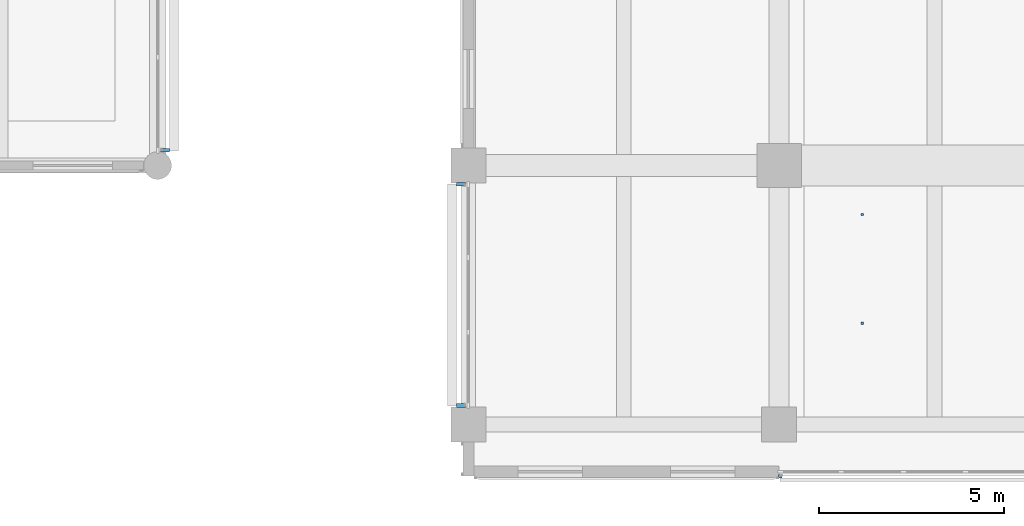
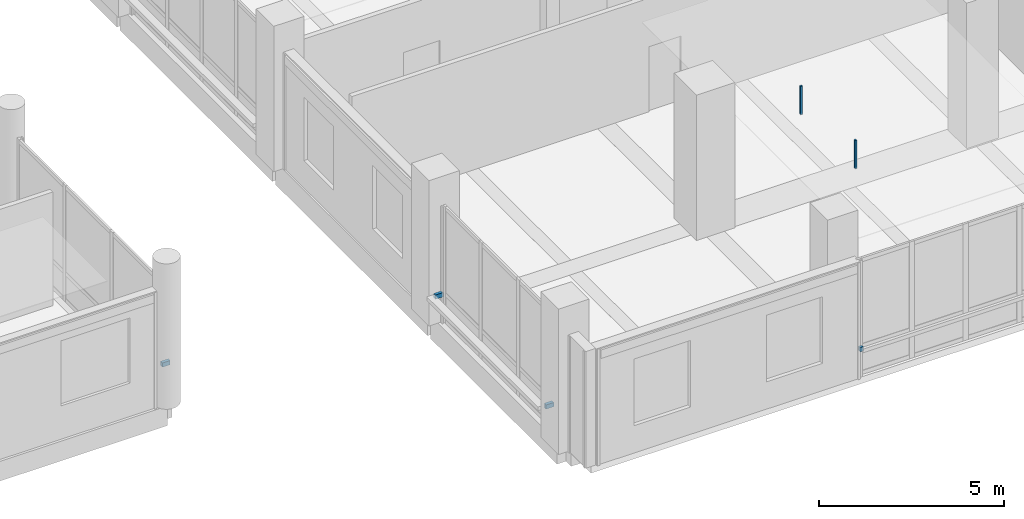
# One storey, part 64 of 122: 6 discrete accessories.
"""IFC4 building model written with IfcOpenShell, lengths in metres."""

from ifc_helpers import new_model, si_unit, direction, frame, origin, origin_2d, place, context, subcontext, project, spatial, rectangle, extrude, material, type_object, element, save


model = new_model("IFC4")

# Units and contexts
model_context = context("Model", 3, precision=1e-05, world=origin(), true_north=direction((0.0, 1.0)))
body_context = subcontext(model_context, "Body", "Model", "MODEL_VIEW")
ifc_project = project(units=[si_unit("LENGTHUNIT", "METRE"), si_unit("AREAUNIT", "SQUARE_METRE"), si_unit("VOLUMEUNIT", "CUBIC_METRE"), si_unit("PLANEANGLEUNIT", "RADIAN"), si_unit("MASSUNIT", "GRAM", prefix="KILO")], contexts=[model_context])

# Site, building, storey
site_placement = place(None, origin())
site = spatial("IfcSite", under=ifc_project, at=site_placement, CompositionType="ELEMENT")
building_placement = place(site_placement, origin())
building = spatial("IfcBuilding", under=site, at=building_placement, Name="Telukmera Botanical Conservatory", CompositionType="ELEMENT")
storey_placement = place(building_placement, frame((0.0, 0.0, 10.199951171875)))
storey = spatial("IfcBuildingStorey", under=building, at=storey_placement, Name="L02", CompositionType="ELEMENT", Elevation=10.199951171875)

# Discrete accessories
ifc_material = material(Name="Steel S355", Category="steel")
discrete_accessory_type_1 = type_object("IfcDiscreteAccessoryType", Name="ACC-CEIL-HGR", PredefinedType="BRACKET", material=ifc_material)
for number, where, z_axis, x_axis, name in (
    (1, (61.05078125, 13.33740234375, 3.6201171875), (0.0, 0.0, 1.0), (1.0, 0.0, 0.0), "L02 Suspended Ceiling Hanger Rod 041-1"),
    (2, (61.05078125, 16.27490234375, 3.6201171875), (0.0, 0.0, 1.0), (1.0, 0.0, 0.0), "L02 Suspended Ceiling Hanger Rod 041-2"),
):
    element("IfcDiscreteAccessory", number, at=place(storey_placement, frame(where, z_axis=z_axis, x_axis=x_axis)), inside=storey, type_object=discrete_accessory_type_1, Name=name, PredefinedType="BRACKET", context=body_context, shape_type="SweptSolid", body=[
        extrude(rectangle(XDim=0.06005859375, YDim=0.06005859375, at=origin_2d()), origin(), (0.0, 0.0, 1.0), 0.93505859375),
    ])
discrete_accessory_type_2 = type_object("IfcDiscreteAccessoryType", Name="Structural Steel Facade Outrigger Fin Bracket", PredefinedType="BRACKET", material=ifc_material)
discrete_accessory_1_placement = place(storey_placement, frame((42.199951171875, 18.009521484375, 0.8798828125), z_axis=(0.0, 0.0, 1.0), x_axis=(0.0, 1.0, 0.0)))
element("IfcDiscreteAccessory", 3, at=discrete_accessory_1_placement, inside=storey, type_object=discrete_accessory_type_2, Name="Facade Outrigger Bracket V3:L02:E1 A", PredefinedType="BRACKET", context=body_context, shape_type="SweptSolid", body=[
    extrude(rectangle(XDim=0.10009765625, YDim=0.239990234375, at=origin_2d()), origin(), (0.0, 0.0, 1.0), 0.139892578125),
])
discrete_accessory_2_placement = place(storey_placement, frame((58.83447265625, 9.195068359375, 0.8798828125), z_axis=(0.0, 0.0, 1.0), x_axis=(1.0, 0.0, 0.0)))
element("IfcDiscreteAccessory", 4, at=discrete_accessory_2_placement, inside=storey, type_object=discrete_accessory_type_2, Name="Facade Outrigger Bracket V4:L02:S2 A", PredefinedType="BRACKET", context=body_context, shape_type="SweptSolid", body=[
    extrude(rectangle(XDim=0.10009765625, YDim=0.090087890625, at=origin_2d()), origin(), (0.0, 0.0, 1.0), 0.139892578125),
])
for number, where, z_axis, x_axis, name in (
    (5, (50.199951171875, 11.109619140625, 0.8798828125), (0.0, 0.0, 1.0), (0.0, 1.0, 0.0), "Facade Outrigger Bracket V4:L02:W1 A"),
    (6, (50.199951171875, 17.090576171875, 0.8798828125), (0.0, 0.0, 1.0), (0.0, 1.0, 0.0), "Facade Outrigger Bracket V4:L02:W1 B"),
):
    element("IfcDiscreteAccessory", number, at=place(storey_placement, frame(where, z_axis=z_axis, x_axis=x_axis)), inside=storey, type_object=discrete_accessory_type_2, Name=name, PredefinedType="BRACKET", context=body_context, shape_type="SweptSolid", body=[
        extrude(rectangle(XDim=0.10009765625, YDim=0.239990234375, at=origin_2d()), origin(), (0.0, 0.0, 1.0), 0.139892578125),
    ])

save(model, "model.ifc")
